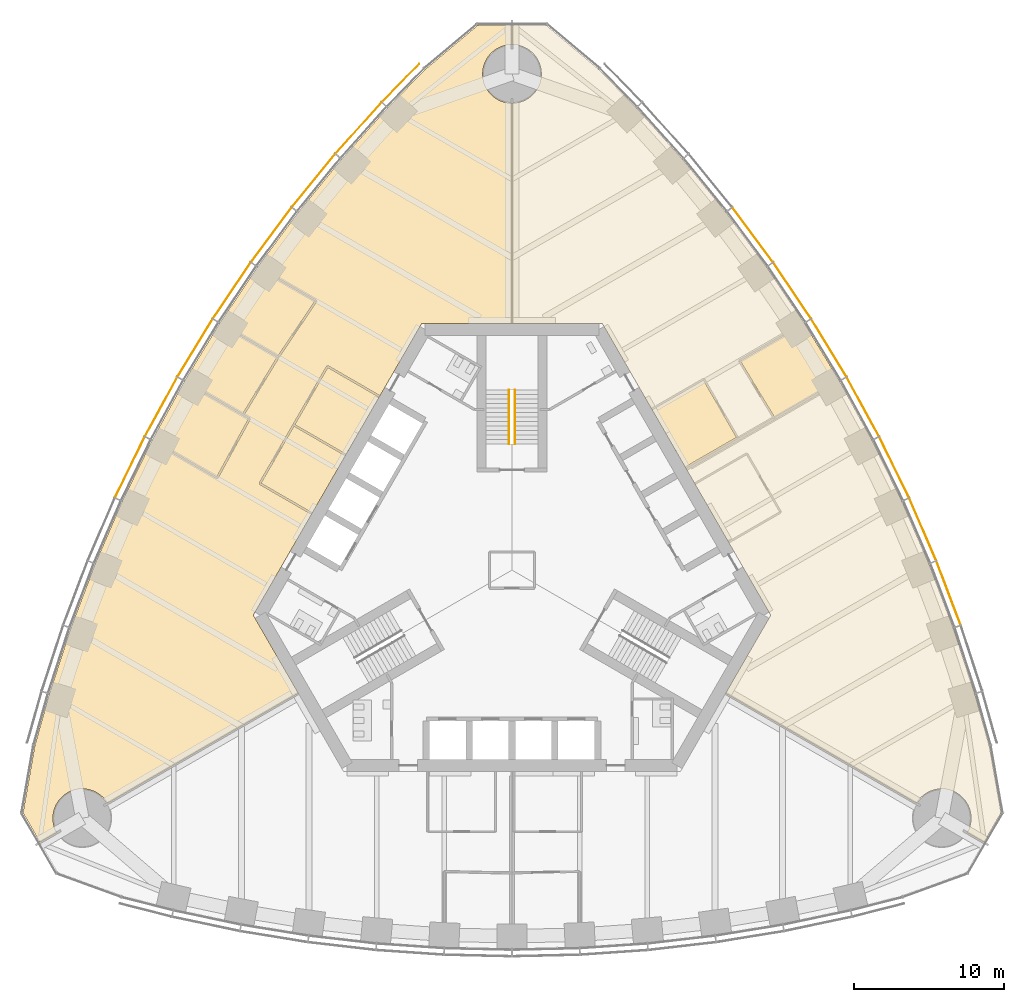
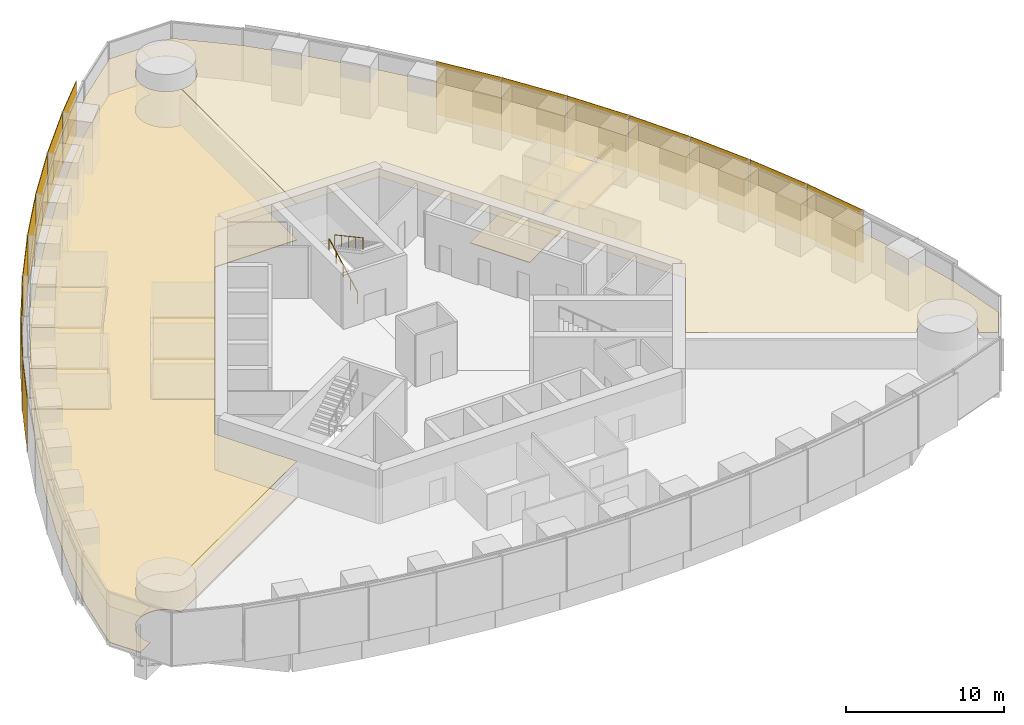
# One storey, part 15 of 18: 15 shading devices, 10 coverings, 2 railings.
"""IFC4 building model written with IfcOpenShell, lengths in metres."""

from ifc_helpers import new_model, si_unit, direction, frame, origin, origin_2d, place, context, subcontext, project, spatial, polyline, rectangle, circle, outline, extrude, material, layer, layer_set, type_object, element, save


model = new_model("IFC4")

# Units and contexts
model_context = context("Model", 3, precision=1e-05, world=origin(), true_north=direction((0.0, 1.0)))
body_context = subcontext(model_context, "Body", "Model", "MODEL_VIEW")
ifc_project = project(units=[si_unit("LENGTHUNIT", "METRE"), si_unit("AREAUNIT", "SQUARE_METRE"), si_unit("VOLUMEUNIT", "CUBIC_METRE"), si_unit("PLANEANGLEUNIT", "RADIAN"), si_unit("MASSUNIT", "GRAM", prefix="KILO")], contexts=[model_context])

# Site, building, storey
site_placement = place(None, origin())
site = spatial("IfcSite", under=ifc_project, at=site_placement, CompositionType="ELEMENT")
building_placement = place(site_placement, origin())
building = spatial("IfcBuilding", under=site, at=building_placement, Name="Trefoil Bronze Tower", CompositionType="ELEMENT")
storey_placement = place(building_placement, frame((0.0, 0.0, 202.300048828125)))
storey = spatial("IfcBuildingStorey", under=building, at=storey_placement, Name="L46", CompositionType="ELEMENT", Elevation=202.300048828125)

# Shading devices
ifc_material_1 = material(Name="Perforated bronze sheet", Category="bronze")
ifc_layer_1 = layer(ifc_material_1, 0.0400390625)
ifc_layer_set_1 = layer_set([ifc_layer_1], Name="Bronze solar screen panel")
shading_device_type = type_object("IfcShadingDeviceType", Name="Bronze solar screen panel", PredefinedType="SHUTTER", material=ifc_layer_set_1)
shading_device_1_placement = place(storey_placement, frame((29.0341796875, -1.52392578125, 0.0498046875), z_axis=(0.0, 0.0, 1.0), x_axis=(-0.354233936517, 0.935156841508, 0.0)))
element("IfcShadingDevice", 1, at=shading_device_1_placement, inside=storey, type_object=shading_device_type, Name="Solar screen CW-A L46 F2 bay 3", PredefinedType="SHUTTER", context=body_context, shape_type="SweptSolid", body=[
    extrude(rectangle(XDim=4.529296875, YDim=0.0400390625, at=origin_2d()), origin(), (0.0, 0.0, 1.0), 4.10009765625),
])
shading_device_2_placement = place(storey_placement, frame((27.317626953125, 2.709716796875, 0.0498046875), z_axis=(0.0, 0.0, 1.0), x_axis=(-0.397220305764, 0.917723285467, 0.0)))
element("IfcShadingDevice", 2, at=shading_device_2_placement, inside=storey, type_object=shading_device_type, Name="Solar screen CW-A L46 F2 bay 4", PredefinedType="SHUTTER", context=body_context, shape_type="SweptSolid", body=[
    extrude(rectangle(XDim=4.5, YDim=0.0400390625, at=origin_2d()), origin(), (0.0, 0.0, 1.0), 4.10009765625),
])
shading_device_3_placement = place(storey_placement, frame((25.4169921875, 6.83740234375, 0.0498046875), z_axis=(0.0, 0.0, 1.0), x_axis=(-0.439129033334, 0.898424004623, 0.0)))
element("IfcShadingDevice", 3, at=shading_device_3_placement, inside=storey, type_object=shading_device_type, Name="Solar screen CW-A L46 F2 bay 5", PredefinedType="SHUTTER", context=body_context, shape_type="SweptSolid", body=[
    extrude(rectangle(XDim=4.480712890625, YDim=0.0400390625, at=origin_2d()), origin(), (0.0, 0.0, 1.0), 4.10009765625),
])
for number, where, z_axis, x_axis, name in (
    (4, (23.3349609375, 10.860107421875, 0.0498046875), (0.0, 0.0, 1.0), (-0.479974003504, 0.877282711536, 0.0), "Solar screen CW-A L46 F2 bay 6"),
    (5, (21.07275390625, 14.77880859375, 0.0498046875), (0.0, 0.0, 1.0), (-0.519762112739, 0.854311035959, 0.0), "Solar screen CW-A L46 F2 bay 7"),
):
    element("IfcShadingDevice", number, at=place(storey_placement, frame(where, z_axis=z_axis, x_axis=x_axis)), inside=storey, type_object=shading_device_type, Name=name, PredefinedType="SHUTTER", context=body_context, shape_type="SweptSolid", body=[
        extrude(rectangle(XDim=4.47119140625, YDim=0.0400390625, at=origin_2d()), origin(), (0.0, 0.0, 1.0), 4.10009765625),
    ])
shading_device_4_placement = place(storey_placement, frame((18.6298828125, 18.59326171875, 0.0498046875), z_axis=(0.0, 0.0, 1.0), x_axis=(-0.558493494706, 0.829508900718, 0.0)))
element("IfcShadingDevice", 6, at=shading_device_4_placement, inside=storey, type_object=shading_device_type, Name="Solar screen CW-A L46 F2 bay 8", PredefinedType="SHUTTER", context=body_context, shape_type="SweptSolid", body=[
    extrude(rectangle(XDim=4.480712890625, YDim=0.0400390625, at=origin_2d()), origin(), (0.0, 0.0, 1.0), 4.10009765625),
])
shading_device_5_placement = place(storey_placement, frame((16.005615234375, 22.302734375, 0.0498046875), z_axis=(0.0, 0.0, 1.0), x_axis=(-0.596161525977, 0.802864518425, 0.0)))
element("IfcShadingDevice", 7, at=shading_device_5_placement, inside=storey, type_object=shading_device_type, Name="Solar screen CW-A L46 F2 bay 9", PredefinedType="SHUTTER", context=body_context, shape_type="SweptSolid", body=[
    extrude(rectangle(XDim=4.5, YDim=0.0400390625, at=origin_2d()), origin(), (0.0, 0.0, 1.0), 4.10009765625),
])
shading_device_6_placement = place(storey_placement, frame((-7.40478515625, 32.40380859375, 0.0498046875), z_axis=(0.0, 0.0, 1.0), x_axis=(-0.698651812425, -0.715461840349, 0.0)))
element("IfcShadingDevice", 8, at=shading_device_6_placement, inside=storey, type_object=shading_device_type, Name="Solar screen CW-A L46 F3 bay 1", PredefinedType="SHUTTER", context=body_context, shape_type="SweptSolid", body=[
    extrude(rectangle(XDim=3.53369140625, YDim=0.0400390625, at=origin_2d()), origin(), (0.0, 0.0, 1.0), 4.10009765625),
])
shading_device_7_placement = place(storey_placement, frame((-10.20166015625, 29.401611328125, 0.0498046875), z_axis=(0.0, 0.0, 1.0), x_axis=(-0.668245744076, -0.743940606181, 0.0)))
element("IfcShadingDevice", 9, at=shading_device_7_placement, inside=storey, type_object=shading_device_type, Name="Solar screen CW-A L46 F3 bay 2", PredefinedType="SHUTTER", context=body_context, shape_type="SweptSolid", body=[
    extrude(rectangle(XDim=4.5693359375, YDim=0.0400390625, at=origin_2d()), origin(), (0.0, 0.0, 1.0), 4.10009765625),
])
shading_device_8_placement = place(storey_placement, frame((-13.197509765625, 25.90625, 0.0498046875), z_axis=(0.0, 0.0, 1.0), x_axis=(-0.63275261301, -0.774354008661, 0.0)))
element("IfcShadingDevice", 10, at=shading_device_8_placement, inside=storey, type_object=shading_device_type, Name="Solar screen CW-A L46 F3 bay 3", PredefinedType="SHUTTER", context=body_context, shape_type="SweptSolid", body=[
    extrude(rectangle(XDim=4.529296875, YDim=0.0400390625, at=origin_2d()), origin(), (0.0, 0.0, 1.0), 4.10009765625),
])
shading_device_9_placement = place(storey_placement, frame((-16.005615234375, 22.302734375, 0.0498046875), z_axis=(0.0, 0.0, 1.0), x_axis=(-0.596161525977, -0.802864518425, 0.0)))
element("IfcShadingDevice", 11, at=shading_device_9_placement, inside=storey, type_object=shading_device_type, Name="Solar screen CW-A L46 F3 bay 4", PredefinedType="SHUTTER", context=body_context, shape_type="SweptSolid", body=[
    extrude(rectangle(XDim=4.5, YDim=0.0400390625, at=origin_2d()), origin(), (0.0, 0.0, 1.0), 4.10009765625),
])
shading_device_10_placement = place(storey_placement, frame((-18.6298828125, 18.59326171875, 0.0498046875), z_axis=(0.0, 0.0, 1.0), x_axis=(-0.558493494706, -0.829508900718, 0.0)))
element("IfcShadingDevice", 12, at=shading_device_10_placement, inside=storey, type_object=shading_device_type, Name="Solar screen CW-A L46 F3 bay 5", PredefinedType="SHUTTER", context=body_context, shape_type="SweptSolid", body=[
    extrude(rectangle(XDim=4.480712890625, YDim=0.0400390625, at=origin_2d()), origin(), (0.0, 0.0, 1.0), 4.10009765625),
])
for number, where, z_axis, x_axis, name in (
    (13, (-21.07275390625, 14.77880859375, 0.0498046875), (0.0, 0.0, 1.0), (-0.519762112739, -0.854311035959, 0.0), "Solar screen CW-A L46 F3 bay 6"),
    (14, (-23.3349609375, 10.860107421875, 0.0498046875), (0.0, 0.0, 1.0), (-0.479974003504, -0.877282711536, 0.0), "Solar screen CW-A L46 F3 bay 7"),
):
    element("IfcShadingDevice", number, at=place(storey_placement, frame(where, z_axis=z_axis, x_axis=x_axis)), inside=storey, type_object=shading_device_type, Name=name, PredefinedType="SHUTTER", context=body_context, shape_type="SweptSolid", body=[
        extrude(rectangle(XDim=4.47119140625, YDim=0.0400390625, at=origin_2d()), origin(), (0.0, 0.0, 1.0), 4.10009765625),
    ])
shading_device_11_placement = place(storey_placement, frame((-25.4169921875, 6.83740234375, 0.0498046875), z_axis=(0.0, 0.0, 1.0), x_axis=(-0.439129033334, -0.898424004623, 0.0)))
element("IfcShadingDevice", 15, at=shading_device_11_placement, inside=storey, type_object=shading_device_type, Name="Solar screen CW-A L46 F3 bay 8", PredefinedType="SHUTTER", context=body_context, shape_type="SweptSolid", body=[
    extrude(rectangle(XDim=4.480712890625, YDim=0.0400390625, at=origin_2d()), origin(), (0.0, 0.0, 1.0), 4.10009765625),
])

# Railings
ifc_material_2 = material(Name="Steel handrail", Category="steel")
railing_type = type_object("IfcRailingType", Name="Handrail 900", PredefinedType="HANDRAIL", material=ifc_material_2)
railing_1_placement = place(storey_placement, frame((-0.199951171875, 8.389892578125, 0.161376953125)))
element("IfcRailing", 16, at=railing_1_placement, inside=storey, type_object=railing_type, Name="Handrail ST2 flight 1 L46", PredefinedType="HANDRAIL", context=body_context, shape_type="SweptSolid", body=[
    extrude(circle(Radius=0.02392578125, at=origin_2d()), frame((0.0, 0.0, 0.8759765625), z_axis=(0.0, 0.880474934443, 0.474092701714), x_axis=(-1.0, 0.0, 0.0)), (0.0, 0.0, 1.0), 4.0888671875),
    extrude(circle(Radius=0.02099609375, at=origin_2d()), origin(), (0.0, 0.0, 1.0), 0.851806640625),
    extrude(circle(Radius=0.02099609375, at=origin_2d()), frame((0.0, 0.89990234375, 0.484619140625)), (0.0, 0.0, 1.0), 0.851806640625),
    extrude(circle(Radius=0.02099609375, at=origin_2d()), frame((0.0, 1.800048828125, 0.96923828125)), (0.0, 0.0, 1.0), 0.851806640625),
    extrude(circle(Radius=0.02099609375, at=origin_2d()), frame((0.0, 2.7001953125, 1.453857421875)), (0.0, 0.0, 1.0), 0.851806640625),
    extrude(circle(Radius=0.02099609375, at=origin_2d()), frame((0.0, 3.60009765625, 1.9384765625)), (0.0, 0.0, 1.0), 0.851806640625),
])
railing_2_placement = place(storey_placement, frame((0.199951171875, 11.989990234375, 2.261474609375)))
element("IfcRailing", 17, at=railing_2_placement, inside=storey, type_object=railing_type, Name="Handrail ST2 flight 2 L46", PredefinedType="HANDRAIL", context=body_context, shape_type="SweptSolid", body=[
    extrude(circle(Radius=0.02392578125, at=origin_2d()), frame((0.0, 0.0, 0.8759765625), z_axis=(0.0, -0.880474934443, 0.474092701714), x_axis=(1.0, 0.0, 0.0)), (0.0, 0.0, 1.0), 4.0888671875),
    extrude(circle(Radius=0.02099609375, at=origin_2d()), origin(), (0.0, 0.0, 1.0), 0.851806640625),
    extrude(circle(Radius=0.02099609375, at=origin_2d()), frame((0.0, -0.89990234375, 0.484619140625)), (0.0, 0.0, 1.0), 0.851806640625),
    extrude(circle(Radius=0.02099609375, at=origin_2d()), frame((0.0, -1.800048828125, 0.96923828125)), (0.0, 0.0, 1.0), 0.851806640625),
    extrude(circle(Radius=0.02099609375, at=origin_2d()), frame((0.0, -2.7001953125, 1.453857421875)), (0.0, 0.0, 1.0), 0.851806640625),
    extrude(circle(Radius=0.02099609375, at=origin_2d()), frame((0.0, -3.60009765625, 1.9384765625)), (0.0, 0.0, 1.0), 0.851806640625),
])

# Coverings
ifc_material_3 = material(Name="Acoustic ceiling panels", Category="mineral fibre")
ifc_layer_2 = layer(ifc_material_3, 0.02001953125)
ifc_layer_set_2 = layer_set([ifc_layer_2], Name="Office ceiling 20")
covering_type_1 = type_object("IfcCoveringType", Name="Office ceiling 20", PredefinedType="CEILING", material=ifc_layer_set_2)
covering_1_placement = place(storey_placement, frame((0.0, 0.0, 2.89990234375)))
element("IfcCovering", 18, at=covering_1_placement, inside=storey, type_object=covering_type_1, Name="Ceiling L46 Open-plan office F2", PredefinedType="CEILING", context=body_context, shape_type="SweptSolid", body=[
    extrude(outline(polyline([(8.26318359375, 30.751708984375), (11.3369140625, 27.329833984375), (14.2216796875, 23.79931640625), (16.92236328125, 20.162353515625), (19.44140625, 16.420654296875), (21.781005859375, 12.5751953125), (23.94140625, 8.62646484375), (25.92236328125, 4.573974609375), (27.7216796875, 0.416748046875), (29.3369140625, -3.846923828125), (30.76318359375, -8.219482421875), (31.7265625, -11.650634765625), (32.518310546875, -16.1416015625), (31.385009765625, -18.1044921875), (30.273681640625, -17.46337890625), (30.298583984375, -17.419189453125), (30.341552734375, -17.333740234375), (30.38037109375, -17.24609375), (30.414794921875, -17.156982421875), (30.44482421875, -17.066162109375), (30.470458984375, -16.973876953125), (30.491455078125, -16.88037109375), (30.5078125, -16.7861328125), (30.519287109375, -16.691162109375), (30.526611328125, -16.595703125), (30.52880859375, -16.5), (30.526611328125, -16.404296875), (30.519287109375, -16.308837890625), (30.5078125, -16.2138671875), (30.491455078125, -16.11962890625), (30.470458984375, -16.026123046875), (30.44482421875, -15.933837890625), (30.414794921875, -15.843017578125), (30.38037109375, -15.75390625), (30.341552734375, -15.666259765625), (30.298583984375, -15.580810546875), (30.25146484375, -15.49755859375), (30.2001953125, -15.41650390625), (30.14501953125, -15.33837890625), (30.086181640625, -15.262939453125), (30.023681640625, -15.1904296875), (29.957763671875, -15.12109375), (29.888427734375, -15.05517578125), (29.81591796875, -14.99267578125), (29.740478515625, -14.93359375), (29.662109375, -14.878662109375), (29.581298828125, -14.827392578125), (29.498046875, -14.7802734375), (29.41259765625, -14.7373046875), (29.3251953125, -14.698486328125), (29.23583984375, -14.6640625), (29.14501953125, -14.634033203125), (29.052490234375, -14.6083984375), (28.959228515625, -14.58740234375), (28.864990234375, -14.571044921875), (28.77001953125, -14.559326171875), (28.674560546875, -14.55224609375), (28.578857421875, -14.550048828125), (28.483154296875, -14.55224609375), (28.3876953125, -14.559326171875), (28.292724609375, -14.571044921875), (28.198486328125, -14.58740234375), (28.10498046875, -14.6083984375), (28.0126953125, -14.634033203125), (27.921875, -14.6640625), (27.83251953125, -14.698486328125), (27.7451171875, -14.7373046875), (27.65966796875, -14.7802734375), (27.576416015625, -14.827392578125), (27.49560546875, -14.878662109375), (27.417236328125, -14.93359375), (27.341796875, -14.99267578125), (27.269287109375, -15.05517578125), (27.199951171875, -15.12109375), (27.134033203125, -15.1904296875), (27.071533203125, -15.262939453125), (27.0126953125, -15.33837890625), (26.95751953125, -15.41650390625), (26.896240234375, -15.51513671875), (14.205810546875, -8.194580078125), (17.205078125, -3.0), (6.00439453125, 16.39990234375), (0.006103515625, 16.39990234375), (0.01171875, 31.05029296875), (0.095703125, 31.05224609375), (0.191162109375, 31.059326171875), (0.2861328125, 31.071044921875), (0.38037109375, 31.08740234375), (0.473876953125, 31.1083984375), (0.566162109375, 31.134033203125), (0.656982421875, 31.1640625), (0.74609375, 31.198486328125), (0.833740234375, 31.2373046875), (0.919189453125, 31.2802734375), (1.00244140625, 31.327392578125), (1.08349609375, 31.378662109375), (1.16162109375, 31.43359375), (1.237060546875, 31.49267578125), (1.3095703125, 31.55517578125), (1.37890625, 31.62109375), (1.44482421875, 31.6904296875), (1.50732421875, 31.762939453125), (1.56640625, 31.83837890625), (1.621337890625, 31.91650390625), (1.672607421875, 31.99755859375), (1.7197265625, 32.080810546875), (1.7626953125, 32.166259765625), (1.801513671875, 32.25390625), (1.8359375, 32.343017578125), (1.865966796875, 32.433837890625), (1.8916015625, 32.526123046875), (1.91259765625, 32.61962890625), (1.928955078125, 32.7138671875), (1.940673828125, 32.808837890625), (1.94775390625, 32.904296875), (1.949951171875, 33.0), (1.94775390625, 33.095703125), (1.940673828125, 33.191162109375), (1.928955078125, 33.2861328125), (1.91259765625, 33.38037109375), (1.8916015625, 33.473876953125), (1.865966796875, 33.566162109375), (1.8359375, 33.656982421875), (1.801513671875, 33.74609375), (1.7626953125, 33.833740234375), (1.7197265625, 33.919189453125), (1.672607421875, 34.00244140625), (1.621337890625, 34.08349609375), (1.56640625, 34.16162109375), (1.50732421875, 34.237060546875), (1.44482421875, 34.3095703125), (1.37890625, 34.37890625), (1.3095703125, 34.44482421875), (1.237060546875, 34.50732421875), (1.16162109375, 34.56640625), (1.08349609375, 34.621337890625), (1.00244140625, 34.672607421875), (0.919189453125, 34.7197265625), (0.833740234375, 34.7626953125), (0.74609375, 34.801513671875), (0.656982421875, 34.8359375), (0.566162109375, 34.865966796875), (0.473876953125, 34.8916015625), (0.38037109375, 34.91259765625), (0.2861328125, 34.928955078125), (0.191162109375, 34.940673828125), (0.095703125, 34.94775390625), (0.01318359375, 34.94970703125), (0.013671875, 36.232666015625), (2.280029296875, 36.232666015625), (5.7734375, 33.30126953125), (8.26318359375, 30.751708984375)])), origin(), (0.0, 0.0, 1.0), 0.02001953125),
])
covering_2_placement = place(storey_placement, frame((0.0, 0.0, 2.89990234375)))
element("IfcCovering", 19, at=covering_2_placement, inside=storey, type_object=covering_type_1, Name="Ceiling L46 Open-plan office F3", PredefinedType="CEILING", context=body_context, shape_type="SweptSolid", body=[
    extrude(outline(polyline([(-30.76318359375, -8.219482421875), (-29.3369140625, -3.846923828125), (-27.7216796875, 0.416748046875), (-25.92236328125, 4.573974609375), (-23.94140625, 8.62646484375), (-21.781005859375, 12.5751953125), (-19.44140625, 16.420654296875), (-16.92236328125, 20.162353515625), (-14.2216796875, 23.79931640625), (-11.3369140625, 27.329833984375), (-8.26318359375, 30.751708984375), (-5.7734375, 33.30126953125), (-2.280029296875, 36.232666015625), (-0.013671875, 36.232666015625), (-0.01318359375, 34.94970703125), (-0.095703125, 34.94775390625), (-0.191162109375, 34.940673828125), (-0.2861328125, 34.928955078125), (-0.38037109375, 34.91259765625), (-0.473876953125, 34.8916015625), (-0.566162109375, 34.865966796875), (-0.656982421875, 34.8359375), (-0.74609375, 34.801513671875), (-0.833740234375, 34.7626953125), (-0.919189453125, 34.7197265625), (-1.00244140625, 34.672607421875), (-1.08349609375, 34.621337890625), (-1.16162109375, 34.56640625), (-1.237060546875, 34.50732421875), (-1.3095703125, 34.44482421875), (-1.37890625, 34.37890625), (-1.44482421875, 34.3095703125), (-1.50732421875, 34.237060546875), (-1.56640625, 34.16162109375), (-1.621337890625, 34.08349609375), (-1.672607421875, 34.00244140625), (-1.7197265625, 33.919189453125), (-1.7626953125, 33.833740234375), (-1.801513671875, 33.74609375), (-1.8359375, 33.656982421875), (-1.865966796875, 33.566162109375), (-1.8916015625, 33.473876953125), (-1.91259765625, 33.38037109375), (-1.928955078125, 33.2861328125), (-1.940673828125, 33.191162109375), (-1.94775390625, 33.095703125), (-1.949951171875, 33.0), (-1.94775390625, 32.904296875), (-1.940673828125, 32.808837890625), (-1.928955078125, 32.7138671875), (-1.91259765625, 32.61962890625), (-1.8916015625, 32.526123046875), (-1.865966796875, 32.433837890625), (-1.8359375, 32.343017578125), (-1.801513671875, 32.25390625), (-1.7626953125, 32.166259765625), (-1.7197265625, 32.080810546875), (-1.672607421875, 31.99755859375), (-1.621337890625, 31.91650390625), (-1.56640625, 31.83837890625), (-1.50732421875, 31.762939453125), (-1.44482421875, 31.6904296875), (-1.37890625, 31.62109375), (-1.3095703125, 31.55517578125), (-1.237060546875, 31.49267578125), (-1.16162109375, 31.43359375), (-1.08349609375, 31.378662109375), (-1.00244140625, 31.327392578125), (-0.919189453125, 31.2802734375), (-0.833740234375, 31.2373046875), (-0.74609375, 31.198486328125), (-0.656982421875, 31.1640625), (-0.566162109375, 31.134033203125), (-0.473876953125, 31.1083984375), (-0.38037109375, 31.08740234375), (-0.2861328125, 31.071044921875), (-0.191162109375, 31.059326171875), (-0.095703125, 31.05224609375), (-0.01171875, 31.05029296875), (-0.006103515625, 16.39990234375), (-6.00439453125, 16.39990234375), (-17.205078125, -3.0), (-14.205810546875, -8.194580078125), (-26.896240234375, -15.51513671875), (-26.95751953125, -15.41650390625), (-27.0126953125, -15.33837890625), (-27.071533203125, -15.262939453125), (-27.134033203125, -15.1904296875), (-27.199951171875, -15.12109375), (-27.269287109375, -15.05517578125), (-27.341796875, -14.99267578125), (-27.417236328125, -14.93359375), (-27.49560546875, -14.878662109375), (-27.576416015625, -14.827392578125), (-27.65966796875, -14.7802734375), (-27.7451171875, -14.7373046875), (-27.83251953125, -14.698486328125), (-27.921875, -14.6640625), (-28.0126953125, -14.634033203125), (-28.10498046875, -14.6083984375), (-28.198486328125, -14.58740234375), (-28.292724609375, -14.571044921875), (-28.3876953125, -14.559326171875), (-28.483154296875, -14.55224609375), (-28.578857421875, -14.550048828125), (-28.674560546875, -14.55224609375), (-28.77001953125, -14.559326171875), (-28.864990234375, -14.571044921875), (-28.959228515625, -14.58740234375), (-29.052490234375, -14.6083984375), (-29.14501953125, -14.634033203125), (-29.23583984375, -14.6640625), (-29.3251953125, -14.698486328125), (-29.41259765625, -14.7373046875), (-29.498046875, -14.7802734375), (-29.581298828125, -14.827392578125), (-29.662109375, -14.878662109375), (-29.740478515625, -14.93359375), (-29.81591796875, -14.99267578125), (-29.888427734375, -15.05517578125), (-29.957763671875, -15.12109375), (-30.023681640625, -15.1904296875), (-30.086181640625, -15.262939453125), (-30.14501953125, -15.33837890625), (-30.2001953125, -15.41650390625), (-30.25146484375, -15.49755859375), (-30.298583984375, -15.580810546875), (-30.341552734375, -15.666259765625), (-30.38037109375, -15.75390625), (-30.414794921875, -15.843017578125), (-30.44482421875, -15.933837890625), (-30.470458984375, -16.026123046875), (-30.491455078125, -16.11962890625), (-30.5078125, -16.2138671875), (-30.519287109375, -16.308837890625), (-30.526611328125, -16.404296875), (-30.52880859375, -16.5), (-30.526611328125, -16.595703125), (-30.519287109375, -16.691162109375), (-30.5078125, -16.7861328125), (-30.491455078125, -16.88037109375), (-30.470458984375, -16.973876953125), (-30.44482421875, -17.066162109375), (-30.414794921875, -17.156982421875), (-30.38037109375, -17.24609375), (-30.341552734375, -17.333740234375), (-30.298583984375, -17.419189453125), (-30.273681640625, -17.46337890625), (-31.385009765625, -18.1044921875), (-32.518310546875, -16.1416015625), (-31.7265625, -11.650634765625), (-30.76318359375, -8.219482421875)])), origin(), (0.0, 0.0, 1.0), 0.02001953125),
])
ifc_material_4 = material(Name="Raised access floor panels", Category="steel")
ifc_layer_3 = layer(ifc_material_4, 0.050048828125)
ifc_layer_set_3 = layer_set([ifc_layer_3], Name="Raised access floor 150")
covering_type_2 = type_object("IfcCoveringType", Name="Raised access floor 150", PredefinedType="FLOORING", material=ifc_layer_set_3)
covering_3_placement = place(storey_placement, frame((0.0, 0.0, 0.099853515625)))
element("IfcCovering", 20, at=covering_3_placement, inside=storey, type_object=covering_type_2, Name="Raised floor L46 Project room F2", PredefinedType="FLOORING", context=body_context, shape_type="SweptSolid", body=[
    extrude(outline(polyline([(9.322265625, 10.6533203125), (12.734375, 12.623291015625), (14.92431640625, 8.830078125), (11.51220703125, 6.860107421875), (9.322265625, 10.6533203125)])), origin(), (0.0, 0.0, 1.0), 0.050048828125),
])
covering_4_placement = place(storey_placement, frame((0.0, 0.0, 0.099853515625)))
element("IfcCovering", 21, at=covering_4_placement, inside=storey, type_object=covering_type_2, Name="Raised floor L46 Meeting room F2", PredefinedType="FLOORING", context=body_context, shape_type="SweptSolid", body=[
    extrude(outline(polyline([(19.44140625, 16.420654296875), (21.781005859375, 12.5751953125), (20.369384765625, 11.76025390625), (20.33203125, 11.8251953125), (17.4638671875, 10.16943359375), (15.194580078125, 13.8994140625), (18.058349609375, 15.552978515625), (18.0283203125, 15.60498046875), (19.44140625, 16.420654296875)])), origin(), (0.0, 0.0, 1.0), 0.050048828125),
])
covering_5_placement = place(storey_placement, frame((0.0, 0.0, 0.099853515625)))
element("IfcCovering", 22, at=covering_5_placement, inside=storey, type_object=covering_type_2, Name="Raised floor L46 Project room F3", PredefinedType="FLOORING", context=body_context, shape_type="SweptSolid", body=[
    extrude(outline(polyline([(-11.024658203125, 7.70458984375), (-14.43701171875, 9.674560546875), (-12.246826171875, 13.4677734375), (-8.834716796875, 11.497802734375), (-11.024658203125, 7.70458984375)])), origin(), (0.0, 0.0, 1.0), 0.050048828125),
])
covering_6_placement = place(storey_placement, frame((0.0, 0.0, 0.099853515625)))
element("IfcCovering", 23, at=covering_6_placement, inside=storey, type_object=covering_type_2, Name="Raised floor L46 Project room F3", PredefinedType="FLOORING", context=body_context, shape_type="SweptSolid", body=[
    extrude(outline(polyline([(-13.274658203125, 3.8076171875), (-16.68701171875, 5.777587890625), (-14.496826171875, 9.57080078125), (-11.084716796875, 7.6005859375), (-13.274658203125, 3.8076171875)])), origin(), (0.0, 0.0, 1.0), 0.050048828125),
])
covering_7_placement = place(storey_placement, frame((0.0, 0.0, 0.099853515625)))
element("IfcCovering", 24, at=covering_7_placement, inside=storey, type_object=covering_type_2, Name="Raised floor L46 Project room F3", PredefinedType="FLOORING", context=body_context, shape_type="SweptSolid", body=[
    extrude(outline(polyline([(-16.92236328125, 20.162353515625), (-15.504638671875, 19.343994140625), (-15.53466796875, 19.2919921875), (-13.11083984375, 17.892578125), (-15.56298828125, 14.250732421875), (-17.998291015625, 15.65673828125), (-18.0283203125, 15.60498046875), (-19.44140625, 16.420654296875), (-16.92236328125, 20.162353515625)])), origin(), (0.0, 0.0, 1.0), 0.050048828125),
])
covering_8_placement = place(storey_placement, frame((0.0, 0.0, 0.099853515625)))
element("IfcCovering", 25, at=covering_8_placement, inside=storey, type_object=covering_type_2, Name="Raised floor L46 Project room F3", PredefinedType="FLOORING", context=body_context, shape_type="SweptSolid", body=[
    extrude(outline(polyline([(-21.781005859375, 12.5751953125), (-19.44140625, 16.420654296875), (-18.0283203125, 15.60498046875), (-18.058349609375, 15.552978515625), (-15.627685546875, 14.1494140625), (-17.90478515625, 10.406494140625), (-20.339599609375, 11.812255859375), (-20.369384765625, 11.76025390625), (-21.781005859375, 12.5751953125)])), origin(), (0.0, 0.0, 1.0), 0.050048828125),
])
covering_9_placement = place(storey_placement, frame((0.0, 0.0, 0.099853515625)))
element("IfcCovering", 26, at=covering_9_placement, inside=storey, type_object=covering_type_2, Name="Raised floor L46 Meeting room F3", PredefinedType="FLOORING", context=body_context, shape_type="SweptSolid", body=[
    extrude(outline(polyline([(-23.94140625, 8.62646484375), (-21.781005859375, 12.5751953125), (-20.369384765625, 11.76025390625), (-20.3994140625, 11.70849609375), (-17.53173828125, 10.052734375), (-19.634521484375, 6.209228515625), (-22.498291015625, 7.862548828125), (-22.5283203125, 7.810546875), (-23.94140625, 8.62646484375)])), origin(), (0.0, 0.0, 1.0), 0.050048828125),
])
covering_10_placement = place(storey_placement, frame((0.0, 0.0, 0.099853515625)))
element("IfcCovering", 27, at=covering_10_placement, inside=storey, type_object=covering_type_2, Name="Raised floor L46 Open-plan office F3", PredefinedType="FLOORING", context=body_context, shape_type="SweptSolid", body=[
    extrude(outline(polyline([(-25.92236328125, 4.573974609375), (-23.94140625, 8.62646484375), (-22.5283203125, 7.810546875), (-22.558349609375, 7.7587890625), (-19.641357421875, 6.074462890625), (-19.611328125, 6.12646484375), (-19.558837890625, 6.09765625), (-17.398193359375, 10.04638671875), (-17.450927734375, 10.0751953125), (-17.4208984375, 10.127197265625), (-17.80078125, 10.3466796875), (-15.493896484375, 14.138427734375), (-12.975341796875, 17.87890625), (-13.025146484375, 17.912353515625), (-12.9951171875, 17.96435546875), (-15.474609375, 19.39599609375), (-15.504638671875, 19.343994140625), (-16.92236328125, 20.162353515625), (-14.2216796875, 23.79931640625), (-11.3369140625, 27.329833984375), (-8.26318359375, 30.751708984375), (-5.7734375, 33.30126953125), (-2.280029296875, 36.232666015625), (-0.013671875, 36.232666015625), (-0.01318359375, 34.94970703125), (-0.095703125, 34.94775390625), (-0.191162109375, 34.940673828125), (-0.2861328125, 34.928955078125), (-0.38037109375, 34.91259765625), (-0.473876953125, 34.8916015625), (-0.566162109375, 34.865966796875), (-0.656982421875, 34.8359375), (-0.74609375, 34.801513671875), (-0.833740234375, 34.7626953125), (-0.919189453125, 34.7197265625), (-1.00244140625, 34.672607421875), (-1.08349609375, 34.621337890625), (-1.16162109375, 34.56640625), (-1.237060546875, 34.50732421875), (-1.3095703125, 34.44482421875), (-1.37890625, 34.37890625), (-1.44482421875, 34.3095703125), (-1.50732421875, 34.237060546875), (-1.56640625, 34.16162109375), (-1.621337890625, 34.08349609375), (-1.672607421875, 34.00244140625), (-1.7197265625, 33.919189453125), (-1.7626953125, 33.833740234375), (-1.801513671875, 33.74609375), (-1.8359375, 33.656982421875), (-1.865966796875, 33.566162109375), (-1.8916015625, 33.473876953125), (-1.91259765625, 33.38037109375), (-1.928955078125, 33.2861328125), (-1.940673828125, 33.191162109375), (-1.94775390625, 33.095703125), (-1.949951171875, 33.0), (-1.94775390625, 32.904296875), (-1.940673828125, 32.808837890625), (-1.928955078125, 32.7138671875), (-1.91259765625, 32.61962890625), (-1.8916015625, 32.526123046875), (-1.865966796875, 32.433837890625), (-1.8359375, 32.343017578125), (-1.801513671875, 32.25390625), (-1.7626953125, 32.166259765625), (-1.7197265625, 32.080810546875), (-1.672607421875, 31.99755859375), (-1.621337890625, 31.91650390625), (-1.56640625, 31.83837890625), (-1.50732421875, 31.762939453125), (-1.44482421875, 31.6904296875), (-1.37890625, 31.62109375), (-1.3095703125, 31.55517578125), (-1.237060546875, 31.49267578125), (-1.16162109375, 31.43359375), (-1.08349609375, 31.378662109375), (-1.00244140625, 31.327392578125), (-0.919189453125, 31.2802734375), (-0.833740234375, 31.2373046875), (-0.74609375, 31.198486328125), (-0.656982421875, 31.1640625), (-0.566162109375, 31.134033203125), (-0.473876953125, 31.1083984375), (-0.38037109375, 31.08740234375), (-0.2861328125, 31.071044921875), (-0.191162109375, 31.059326171875), (-0.095703125, 31.05224609375), (-0.01171875, 31.05029296875), (-0.006103515625, 16.39990234375), (-6.00439453125, 16.39990234375), (-8.774658203125, 11.601806640625), (-12.23876953125, 13.601806640625), (-12.268798828125, 13.5498046875), (-12.32080078125, 13.57958984375), (-16.82080078125, 5.785400390625), (-16.768798828125, 5.755615234375), (-16.798828125, 5.70361328125), (-13.334716796875, 3.70361328125), (-17.205078125, -3.0), (-14.205810546875, -8.194580078125), (-26.896240234375, -15.51513671875), (-26.95751953125, -15.41650390625), (-27.0126953125, -15.33837890625), (-27.071533203125, -15.262939453125), (-27.134033203125, -15.1904296875), (-27.199951171875, -15.12109375), (-27.269287109375, -15.05517578125), (-27.341796875, -14.99267578125), (-27.417236328125, -14.93359375), (-27.49560546875, -14.878662109375), (-27.576416015625, -14.827392578125), (-27.65966796875, -14.7802734375), (-27.7451171875, -14.7373046875), (-27.83251953125, -14.698486328125), (-27.921875, -14.6640625), (-28.0126953125, -14.634033203125), (-28.10498046875, -14.6083984375), (-28.198486328125, -14.58740234375), (-28.292724609375, -14.571044921875), (-28.3876953125, -14.559326171875), (-28.483154296875, -14.55224609375), (-28.578857421875, -14.550048828125), (-28.674560546875, -14.55224609375), (-28.77001953125, -14.559326171875), (-28.864990234375, -14.571044921875), (-28.959228515625, -14.58740234375), (-29.052490234375, -14.6083984375), (-29.14501953125, -14.634033203125), (-29.23583984375, -14.6640625), (-29.3251953125, -14.698486328125), (-29.41259765625, -14.7373046875), (-29.498046875, -14.7802734375), (-29.581298828125, -14.827392578125), (-29.662109375, -14.878662109375), (-29.740478515625, -14.93359375), (-29.81591796875, -14.99267578125), (-29.888427734375, -15.05517578125), (-29.957763671875, -15.12109375), (-30.023681640625, -15.1904296875), (-30.086181640625, -15.262939453125), (-30.14501953125, -15.33837890625), (-30.2001953125, -15.41650390625), (-30.25146484375, -15.49755859375), (-30.298583984375, -15.580810546875), (-30.341552734375, -15.666259765625), (-30.38037109375, -15.75390625), (-30.414794921875, -15.843017578125), (-30.44482421875, -15.933837890625), (-30.470458984375, -16.026123046875), (-30.491455078125, -16.11962890625), (-30.5078125, -16.2138671875), (-30.519287109375, -16.308837890625), (-30.526611328125, -16.404296875), (-30.52880859375, -16.5), (-30.526611328125, -16.595703125), (-30.519287109375, -16.691162109375), (-30.5078125, -16.7861328125), (-30.491455078125, -16.88037109375), (-30.470458984375, -16.973876953125), (-30.44482421875, -17.066162109375), (-30.414794921875, -17.156982421875), (-30.38037109375, -17.24609375), (-30.341552734375, -17.333740234375), (-30.298583984375, -17.419189453125), (-30.273681640625, -17.46337890625), (-31.385009765625, -18.1044921875), (-32.518310546875, -16.1416015625), (-31.7265625, -11.650634765625), (-30.76318359375, -8.219482421875), (-29.3369140625, -3.846923828125), (-27.7216796875, 0.416748046875), (-25.92236328125, 4.573974609375)])), origin(), (0.0, 0.0, 1.0), 0.050048828125),
])

save(model, "model.ifc")
